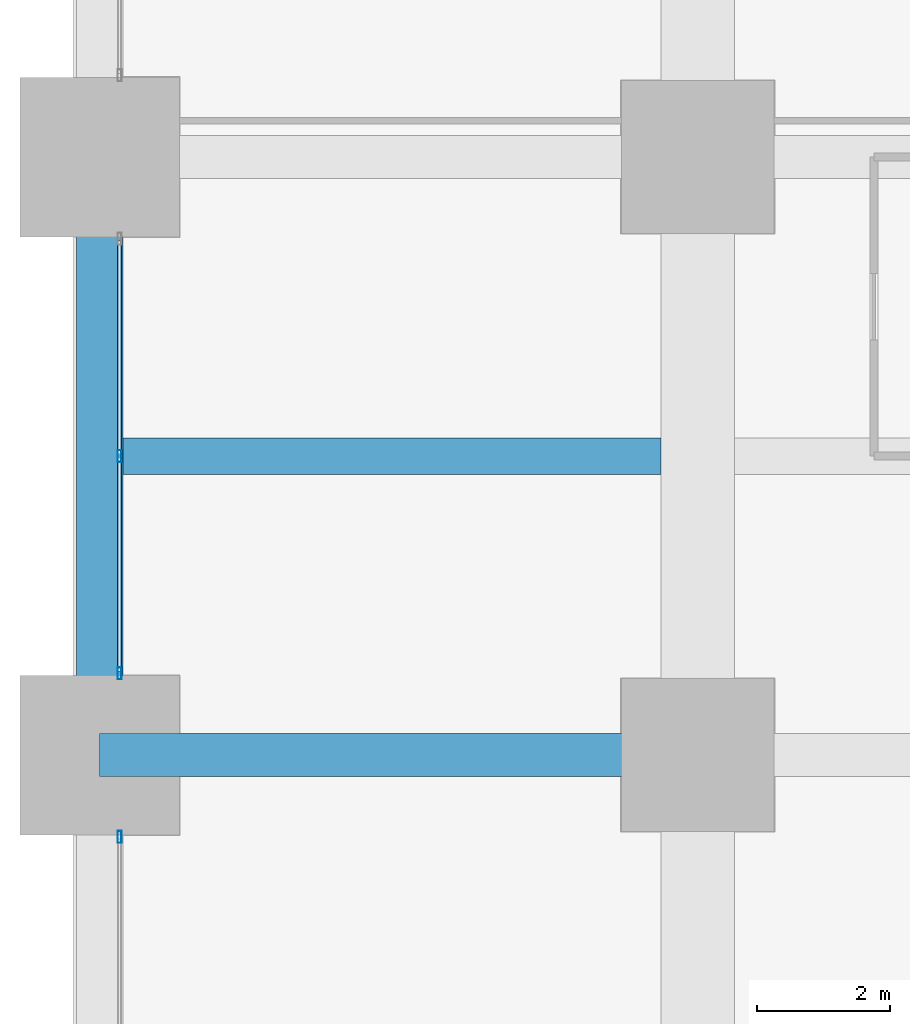
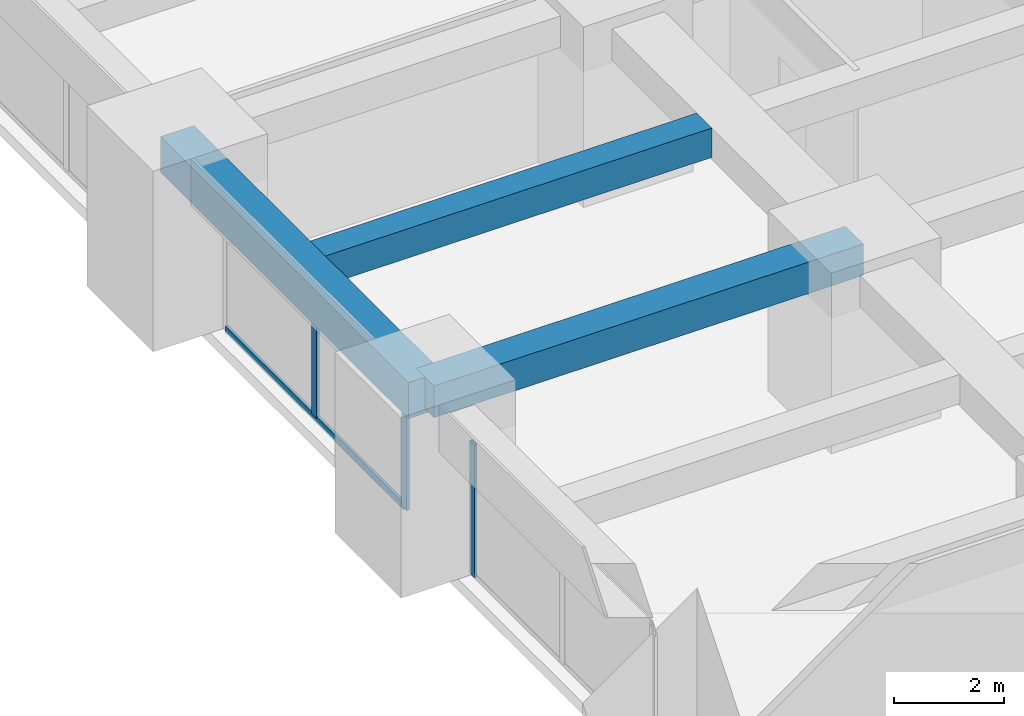
# One storey, part 11 of 44: 4 members, 3 beams, 2 elements without a shape of their own.
"""IFC4 building model written with IfcOpenShell, lengths in metres."""

from ifc_helpers import new_model, si_unit, direction, frame, origin, origin_2d, place, context, subcontext, project, spatial, rectangle, hollow_rectangle, extrude, material, material_profile, profile_set, type_object, element, aggregate, save


model = new_model("IFC4")

# Units and contexts
model_context = context("Model", 3, precision=1e-05, world=origin(), true_north=direction((0.0, 1.0)))
body_context = subcontext(model_context, "Body", "Model", "MODEL_VIEW")
ifc_project = project(units=[si_unit("LENGTHUNIT", "METRE"), si_unit("AREAUNIT", "SQUARE_METRE"), si_unit("VOLUMEUNIT", "CUBIC_METRE"), si_unit("PLANEANGLEUNIT", "RADIAN"), si_unit("MASSUNIT", "GRAM", prefix="KILO")], contexts=[model_context])

# Site, building, storey
site_placement = place(None, origin())
site = spatial("IfcSite", under=ifc_project, at=site_placement, CompositionType="ELEMENT")
building_placement = place(site_placement, origin())
building = spatial("IfcBuilding", under=site, at=building_placement, Name="Zorevar Civic Tower", CompositionType="ELEMENT")
storey_placement = place(building_placement, frame((0.0, 0.0, 43.800048828125)))
storey = spatial("IfcBuildingStorey", under=building, at=storey_placement, Name="L10", CompositionType="ELEMENT", Elevation=43.800048828125)

# Beams
ifc_material_1 = material(Name="Concrete C50/60", Category="concrete")
ifc_material_profile_1 = material_profile(ifc_material_1, rectangle(XDim=0.550048828125, YDim=0.64990234375, at=origin_2d()), Name="RC 550x650")
ifc_profile_set_1 = profile_set([ifc_material_profile_1], Name="Concrete C50/60")
beam_type_1 = type_object("IfcBeamType", Name="Beam RC 550x650", PredefinedType="BEAM", material=ifc_profile_set_1)
beam_1_placement = place(storey_placement, frame((0.35009765625, 31.5, 3.425048828125), z_axis=(1.0, 0.0, 0.0), x_axis=(0.0, 1.0, 0.0)))
element("IfcBeam", 1, at=beam_1_placement, inside=storey, type_object=beam_type_1, Name="Secondary beam L11", PredefinedType="BEAM", context=body_context, shape_type="SweptSolid", body=[
    extrude(rectangle(XDim=0.550048828125, YDim=0.64990234375, at=origin_2d()), origin(), (0.0, 0.0, 1.0), 8.099853515625),
])
ifc_material_2 = material(Name="Concrete C50/60", Category="concrete")
ifc_material_profile_2 = material_profile(ifc_material_2, rectangle(XDim=0.64990234375, YDim=0.699951171875, at=origin_2d()), Name="RC 650x700")
ifc_profile_set_2 = profile_set([ifc_material_profile_2], Name="Concrete C50/60")
beam_type_2 = type_object("IfcBeamType", Name="Beam RC 650x700", PredefinedType="BEAM", material=ifc_profile_set_2)
beam_2_placement = place(storey_placement, frame((0.0, 27.0, 3.39990234375), z_axis=(1.0, 0.0, 0.0), x_axis=(0.0, 1.0, 0.0)))
element("IfcBeam", 2, at=beam_2_placement, inside=storey, type_object=beam_type_2, Name="Girder L11", PredefinedType="BEAM", context=body_context, shape_type="SweptSolid", body=[
    extrude(rectangle(XDim=0.64990234375, YDim=0.699951171875, at=origin_2d()), origin(), (0.0, 0.0, 1.0), 9.0),
])

# Curtain wall, member
ifc_material_3 = material(Name="Dark grey solar-control glass in black aluminium frame", Category="aluminium")
curtain_wall_type = type_object("IfcCurtainWallType", Name="Curtain wall CW2 low zone", PredefinedType="NOTDEFINED", material=ifc_material_3)
curtain_wall_1_placement = place(storey_placement, origin())
curtain_wall_1 = element("IfcCurtainWall", 3, at=curtain_wall_1_placement, inside=storey, type_object=curtain_wall_type, Name="CW2 L10", PredefinedType="NOTDEFINED")
ifc_material_4 = material(Name="Aluminium, black anodised", Category="aluminium")
ifc_material_profile_3 = material_profile(ifc_material_4, hollow_rectangle(XDim=0.06005859375, YDim=0.179931640625, WallThickness=0.00390625, at=origin_2d()), Name="AL 180x60x4")
ifc_profile_set_3 = profile_set([ifc_material_profile_3], Name="Aluminium, black anodised")
member_type_1 = type_object("IfcMemberType", Name="CW2 mullion AL 180x60x4", PredefinedType="MULLION", material=ifc_profile_set_3)
member_1_placement = place(storey_placement, frame((0.300048828125, 25.77001953125, 0.0), z_axis=(0.0, 0.0, 1.0), x_axis=(-1.0, 0.0, 0.0)))
member_1 = element("IfcMember", 4, at=member_1_placement, type_object=member_type_1, Name="CW2 mullion 3", PredefinedType="MULLION", context=body_context, shape_type="SweptSolid", body=[
    extrude(hollow_rectangle(XDim=0.06005859375, YDim=0.179931640625, WallThickness=0.00390625, at=origin_2d()), origin(), (0.0, 0.0, 1.0), 2.949951171875),
])
aggregate(curtain_wall_1, [member_1])

# Curtain wall, members
curtain_wall_2_placement = place(storey_placement, origin())
curtain_wall_2 = element("IfcCurtainWall", 5, at=curtain_wall_2_placement, inside=storey, type_object=curtain_wall_type, Name="CW2 L10", PredefinedType="NOTDEFINED")
member_2_placement = place(storey_placement, frame((0.300048828125, 28.22998046875, 0.0), z_axis=(0.0, 0.0, 1.0), x_axis=(-1.0, 0.0, 0.0)))
member_2 = element("IfcMember", 6, at=member_2_placement, type_object=member_type_1, Name="CW2 mullion 1", PredefinedType="MULLION", context=body_context, shape_type="SweptSolid", body=[
    extrude(hollow_rectangle(XDim=0.06005859375, YDim=0.179931640625, WallThickness=0.00390625, at=origin_2d()), origin(), (0.0, 0.0, 1.0), 2.949951171875),
])
member_3_placement = place(storey_placement, frame((0.300048828125, 31.5, 0.06005859375), z_axis=(0.0, 0.0, 1.0), x_axis=(-1.0, 0.0, 0.0)))
member_3 = element("IfcMember", 7, at=member_3_placement, type_object=member_type_1, Name="CW2 mullion 2", PredefinedType="MULLION", context=body_context, shape_type="SweptSolid", body=[
    extrude(hollow_rectangle(XDim=0.06005859375, YDim=0.179931640625, WallThickness=0.00390625, at=origin_2d()), origin(), (0.0, 0.0, 1.0), 2.889892578125),
])
ifc_material_5 = material(Name="Aluminium, black anodised", Category="aluminium")
ifc_material_profile_4 = material_profile(ifc_material_5, hollow_rectangle(XDim=0.06005859375, YDim=0.14990234375, WallThickness=0.00390625, at=origin_2d()), Name="AL 150x60x4")
ifc_profile_set_4 = profile_set([ifc_material_profile_4], Name="Aluminium, black anodised")
member_type_2 = type_object("IfcMemberType", Name="CW2 transom AL 150x60x4", PredefinedType="USERDEFINED", material=ifc_profile_set_4)
member_4_placement = place(storey_placement, frame((0.300048828125, 28.260009765625, 0.030029296875), z_axis=(0.0, 1.0, 0.0), x_axis=(-1.0, 0.0, 0.0)))
member_4 = element("IfcMember", 8, at=member_4_placement, type_object=member_type_2, Name="CW2 sill transom", ObjectType="TRANSOM", PredefinedType="USERDEFINED", context=body_context, shape_type="SweptSolid", body=[
    extrude(hollow_rectangle(XDim=0.06005859375, YDim=0.14990234375, WallThickness=0.00390625, at=origin_2d()), origin(), (0.0, 0.0, 1.0), 6.47998046875),
])
aggregate(curtain_wall_2, [member_2, member_3, member_4])

# Beam
ifc_material_6 = material(Name="Concrete C50/60", Category="concrete")
ifc_material_profile_5 = material_profile(ifc_material_6, rectangle(XDim=0.699951171875, YDim=0.800048828125, at=origin_2d()), Name="RC 700x800")
ifc_profile_set_5 = profile_set([ifc_material_profile_5], Name="Concrete C50/60")
beam_type_3 = type_object("IfcBeamType", Name="Edge beam RC 700x800", PredefinedType="SPANDREL", material=ifc_profile_set_5)
beam_3_placement = place(storey_placement, frame((0.0, 27.0, 3.349853515625), z_axis=(0.0, 1.0, 0.0), x_axis=(-1.0, 0.0, 0.0)))
element("IfcBeam", 9, at=beam_3_placement, inside=storey, type_object=beam_type_3, Name="Edge beam L11", PredefinedType="SPANDREL", context=body_context, shape_type="SweptSolid", body=[
    extrude(rectangle(XDim=0.699951171875, YDim=0.800048828125, at=origin_2d()), origin(), (0.0, 0.0, 1.0), 9.0),
])

save(model, "model.ifc")
